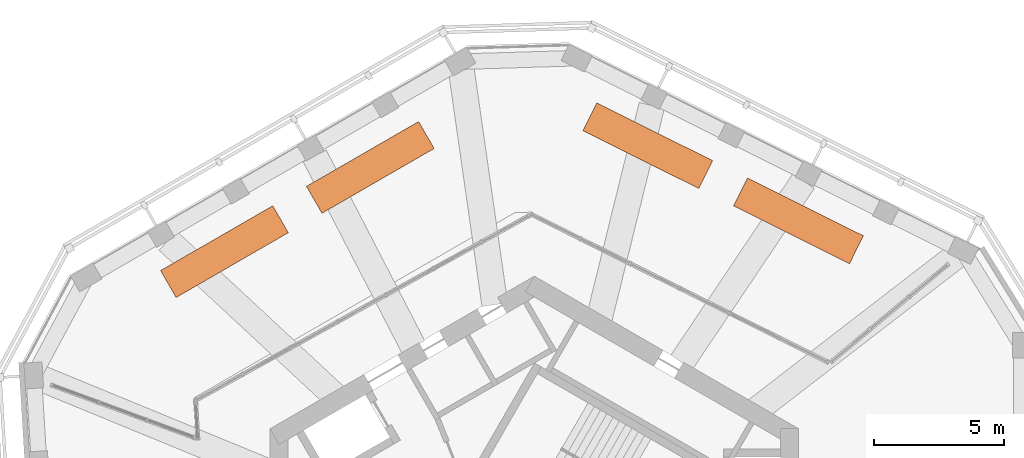
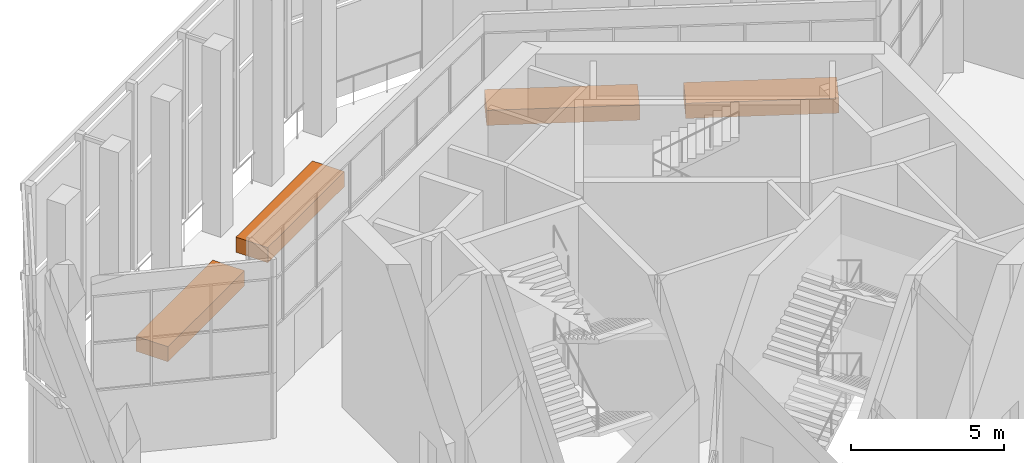
# One storey, part 16 of 16: 4 proxies.
"""IFC4 building model written with IfcOpenShell, lengths in metres."""

from ifc_helpers import new_model, si_unit, direction, frame, origin, origin_2d, place, context, subcontext, project, spatial, rectangle, extrude, material, type_object, element, save


model = new_model("IFC4")

# Units and contexts
model_context = context("Model", 3, precision=1e-05, world=origin(), true_north=direction((0.0, 1.0)))
body_context = subcontext(model_context, "Body", "Model", "MODEL_VIEW")
ifc_project = project(units=[si_unit("LENGTHUNIT", "METRE"), si_unit("AREAUNIT", "SQUARE_METRE"), si_unit("VOLUMEUNIT", "CUBIC_METRE"), si_unit("PLANEANGLEUNIT", "RADIAN"), si_unit("MASSUNIT", "GRAM", prefix="KILO")], contexts=[model_context])

# Site, building, storey
site_placement = place(None, origin())
site = spatial("IfcSite", under=ifc_project, at=site_placement, CompositionType="ELEMENT")
building_placement = place(site_placement, origin())
building = spatial("IfcBuilding", under=site, at=building_placement, Name="Vanh Sen Convention Tower", CompositionType="ELEMENT")
storey_placement = place(building_placement, frame((0.0, 0.0, 278.300048828125)))
storey = spatial("IfcBuildingStorey", under=building, at=storey_placement, Name="L69", CompositionType="ELEMENT", Elevation=278.300048828125)

# Proxies
ifc_material = material(Name="Planting bed (soil and planting)")
building_element_proxy_type = type_object("IfcBuildingElementProxyType", Name="Planting bed", PredefinedType="USERDEFINED", material=ifc_material)
for number, where, z_axis, x_axis, name in (
    (1, (10.195068359375, 13.912841796875, 0.0), (0.0, 0.0, 1.0), (-0.894934361602, 0.44619781311, 0.0), "Sky garden PLANTER P01 L69"),
    (2, (4.3779296875, 16.81298828125, 0.0), (0.0, 0.0, 1.0), (-0.894934361602, 0.44619781311, 0.0), "Sky garden PLANTER P02 L69"),
    (3, (-6.331787109375, 15.974365234375, 0.0), (0.0, 0.0, 1.0), (-0.86602365845, -0.500003022996, 0.0), "Sky garden PLANTER P03 L69"),
    (4, (-11.9609375, 12.72412109375, 0.0), (0.0, 0.0, 1.0), (-0.86602365845, -0.500003022996, 0.0), "Sky garden PLANTER P04 L69"),
):
    element("IfcBuildingElementProxy", number, at=place(storey_placement, frame(where, z_axis=z_axis, x_axis=x_axis)), inside=storey, type_object=building_element_proxy_type, Name=name, ObjectType="PLANTER", PredefinedType="USERDEFINED", context=body_context, shape_type="SweptSolid", body=[
        extrude(rectangle(XDim=5.0, YDim=1.199951171875, at=origin_2d()), origin(), (0.0, 0.0, 1.0), 0.60009765625),
    ])

save(model, "model.ifc")
